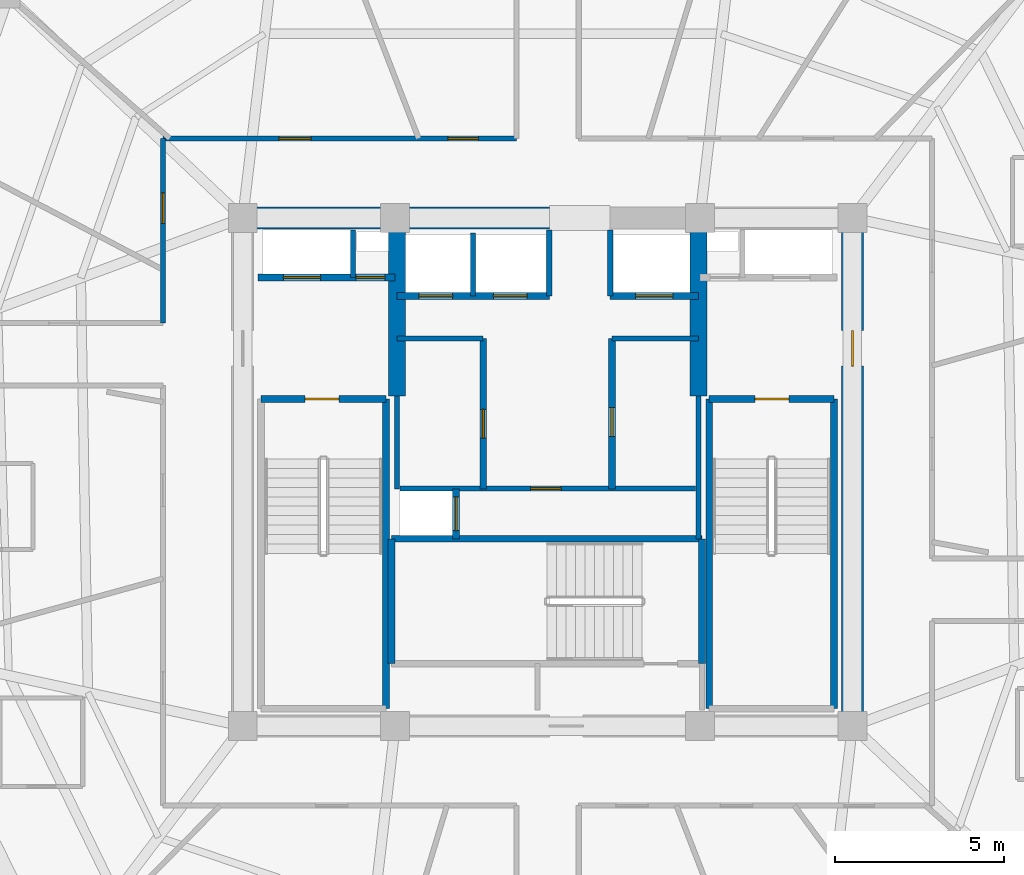
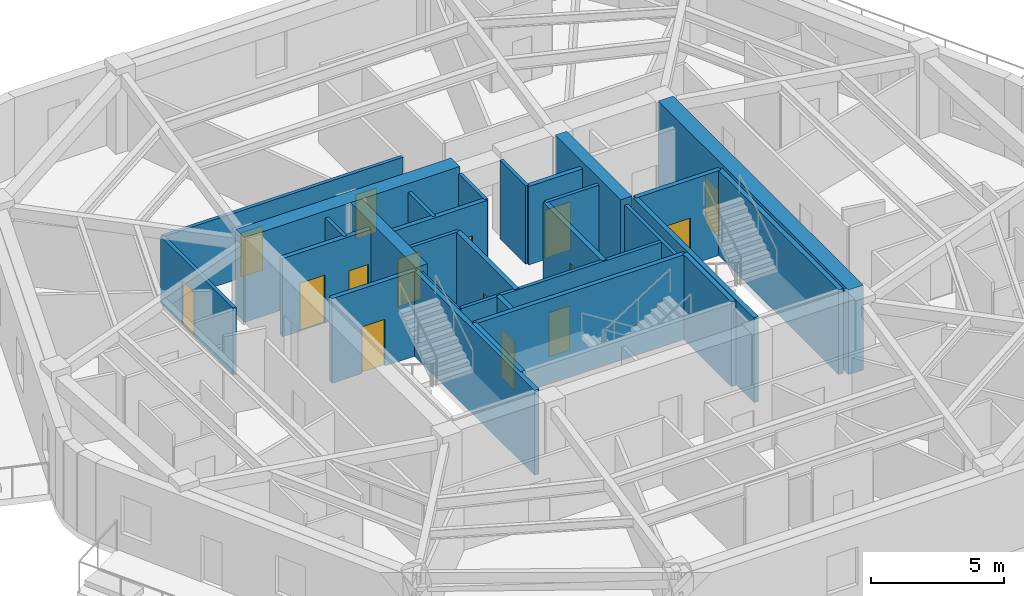
# One storey, part 4 of 9: 29 walls, 15 doors, 15 openings.
"""IFC4 building model written with IfcOpenShell, lengths in metres."""

from ifc_helpers import new_model, si_unit, direction, frame, frame_2d, origin, place, context, subcontext, project, spatial, rectangle, extrude, material, layer, layer_set, type_object, element, fill, save


model = new_model("IFC4")

# Units and contexts
model_context = context("Model", 3, precision=1e-05, world=origin(), true_north=direction((0.0, 1.0)))
body_context = subcontext(model_context, "Body", "Model", "MODEL_VIEW")
ifc_project = project(units=[si_unit("LENGTHUNIT", "METRE"), si_unit("AREAUNIT", "SQUARE_METRE"), si_unit("VOLUMEUNIT", "CUBIC_METRE"), si_unit("PLANEANGLEUNIT", "RADIAN"), si_unit("MASSUNIT", "GRAM", prefix="KILO")], contexts=[model_context])

# Site, building, storey
site_placement = place(None, origin())
site = spatial("IfcSite", under=ifc_project, at=site_placement, CompositionType="ELEMENT")
building_placement = place(site_placement, origin())
building = spatial("IfcBuilding", under=site, at=building_placement, Name="Kilnhurst Terrace Hotel", CompositionType="ELEMENT")
storey_placement = place(building_placement, frame((0.0, 0.0, 273.0)))
storey = spatial("IfcBuildingStorey", under=building, at=storey_placement, Name="L68", CompositionType="ELEMENT", Elevation=273.0)

# Wall, opening, door
ifc_material_1 = material(Name="Acoustic Double-Gypsum Corridor Partition Assembly")
ifc_layer_1 = layer(ifc_material_1, 0.14990234375, Name="Acoustic Double-Gypsum Corridor Partition Assembly")
ifc_layer_set_1 = layer_set([ifc_layer_1], Name="Acoustic Double-Gypsum Corridor Partition Assembly")
wall_type_1 = type_object("IfcWallType", Name="WL-COR-150", PredefinedType="PARTITIONING", material=ifc_layer_set_1)
wall_1_placement = place(storey_placement, frame((-11.35009765625, 4.39990234375, 0.0), z_axis=(0.0, 0.0, 1.0), x_axis=(0.0, 1.0, 0.0)))
wall_1 = element("IfcWall", 1, at=wall_1_placement, inside=storey, type_object=wall_type_1, Name="L68 Interior Wall WL-L68-COR-05", PredefinedType="PARTITIONING", context=body_context, shape_type="SweptSolid", body=[
    extrude(rectangle(XDim=5.4501953125, YDim=0.14990234375, at=frame_2d((2.72509765625, 0.0))), origin(), (0.0, 0.0, 1.0), 3.090087890625),
])
opening_1_placement = place(wall_1_placement, frame((2.93994140625, 0.0, 0.0)))
opening_1 = element("IfcOpeningElement", 2, at=opening_1_placement, cuts=wall_1, Name="Opening D-60C", PredefinedType="OPENING", context=body_context, shape_type="SweptSolid", body=[
    extrude(rectangle(XDim=0.89990234375, YDim=2.030029296875, at=frame_2d((0.449951171875, 1.01513671875))), frame((0.0, 0.0849609375, 0.0), z_axis=(0.0, -1.0, 0.0), x_axis=(1.0, 0.0, 0.0)), (0.0, 0.0, 1.0), 0.169921875),
])
ifc_material_2 = material(Name="Painted Solid-Core Service Fire Door")
door_type_1 = type_object("IfcDoorType", Name="DR-FD60-900", OperationType="NOTDEFINED", PredefinedType="DOOR", material=ifc_material_2)
door_1_placement = place(opening_1_placement, origin())
door_1 = element("IfcDoor", 3, at=door_1_placement, inside=storey, type_object=door_type_1, Name="L68 Botanical Reading Lounge Door 6", OperationType="SINGLE_SWING_RIGHT", OverallHeight=2.030029296875, OverallWidth=0.89990234375, PredefinedType="DOOR", context=body_context, shape_type="SweptSolid", body=[
    extrude(rectangle(XDim=0.89990234375, YDim=2.030029296875, at=frame_2d((0.449951171875, 1.01513671875))), frame((0.0, 0.02490234375, 0.0), z_axis=(0.0, -1.0, 0.0), x_axis=(1.0, 0.0, 0.0)), (0.0, 0.0, 1.0), 0.050048828125),
])
fill(opening_1, door_1)

# Wall, openings, doors
wall_2_placement = place(storey_placement, frame((-11.35009765625, 9.85009765625, 0.0), z_axis=(0.0, 0.0, 1.0), x_axis=(1.0, 0.0, 0.0)))
wall_2 = element("IfcWall", 4, at=wall_2_placement, inside=storey, type_object=wall_type_1, Name="L68 Interior Wall WL-L68-COR-06", PredefinedType="PARTITIONING", context=body_context, shape_type="SweptSolid", body=[
    extrude(rectangle(XDim=10.43017578125, YDim=0.14990234375, at=frame_2d((5.215087890625, 0.0))), origin(), (0.0, 0.0, 1.0), 3.090087890625),
])
opening_2_placement = place(wall_2_placement, frame((8.406982421875, 0.0, 0.0)))
opening_2 = element("IfcOpeningElement", 5, at=opening_2_placement, cuts=wall_2, Name="Opening D-60C", PredefinedType="OPENING", context=body_context, shape_type="SweptSolid", body=[
    extrude(rectangle(XDim=0.89990234375, YDim=2.030029296875, at=frame_2d((0.449951171875, 1.01513671875))), frame((0.0, 0.0849609375, 0.0), z_axis=(0.0, -1.0, 0.0), x_axis=(1.0, 0.0, 0.0)), (0.0, 0.0, 1.0), 0.169921875),
])
opening_3_placement = place(wall_2_placement, frame((3.416015625, 0.0, 0.0)))
opening_3 = element("IfcOpeningElement", 6, at=opening_3_placement, cuts=wall_2, Name="Opening D-60B", PredefinedType="OPENING", context=body_context, shape_type="SweptSolid", body=[
    extrude(rectangle(XDim=0.949951171875, YDim=2.030029296875, at=frame_2d((0.47509765625, 1.01513671875))), frame((0.0, 0.0849609375, 0.0), z_axis=(0.0, -1.0, 0.0), x_axis=(1.0, 0.0, 0.0)), (0.0, 0.0, 1.0), 0.169921875),
])
door_2_placement = place(opening_2_placement, origin())
door_2 = element("IfcDoor", 7, at=door_2_placement, inside=storey, type_object=door_type_1, Name="L68 Executive Work Office Door 4", OperationType="SINGLE_SWING_RIGHT", OverallHeight=2.030029296875, OverallWidth=0.89990234375, PredefinedType="DOOR", context=body_context, shape_type="SweptSolid", body=[
    extrude(rectangle(XDim=0.89990234375, YDim=2.030029296875, at=frame_2d((0.449951171875, 1.01513671875))), frame((0.0, 0.02490234375, 0.0), z_axis=(0.0, -1.0, 0.0), x_axis=(1.0, 0.0, 0.0)), (0.0, 0.0, 1.0), 0.050048828125),
])
fill(opening_2, door_2)
ifc_material_3 = material(Name="Acoustic Walnut Veneer Solid-Core Fire Door")
door_type_2 = type_object("IfcDoorType", Name="DR-FD60-950", OperationType="NOTDEFINED", PredefinedType="DOOR", material=ifc_material_3)
door_3_placement = place(opening_3_placement, origin())
door_3 = element("IfcDoor", 8, at=door_3_placement, inside=storey, type_object=door_type_2, Name="L68 Fitness Studio Door", OperationType="SINGLE_SWING_LEFT", OverallHeight=2.030029296875, OverallWidth=0.949951171875, PredefinedType="DOOR", context=body_context, shape_type="SweptSolid", body=[
    extrude(rectangle(XDim=0.949951171875, YDim=2.030029296875, at=frame_2d((0.47509765625, 1.01513671875))), frame((0.0, 0.02490234375, 0.0), z_axis=(0.0, -1.0, 0.0), x_axis=(1.0, 0.0, 0.0)), (0.0, 0.0, 1.0), 0.050048828125),
])
fill(opening_3, door_3)

# Wall
ifc_material_4 = material(Name="Concrete C60/75", Category="concrete")
ifc_layer_2 = layer(ifc_material_4, 0.64990234375, Name="Concrete C60/75")
ifc_layer_set_2 = layer_set([ifc_layer_2], Name="Concrete C60/75")
wall_type_2 = type_object("IfcWallType", Name="WL-CORE-650", PredefinedType="SHEAR", material=ifc_layer_set_2)
wall_3_placement = place(storey_placement, frame((-9.324951171875, 7.5, 0.0), z_axis=(0.0, 0.0, 1.0), x_axis=(1.0, 0.0, 0.0)))
element("IfcWall", 9, at=wall_3_placement, inside=storey, type_object=wall_type_2, Name="L68 Core North West Shear Wall", PredefinedType="SHEAR", context=body_context, shape_type="SweptSolid", body=[
    extrude(rectangle(XDim=9.375, YDim=0.64990234375, at=frame_2d((4.6875, 0.0))), origin(), (0.0, 0.0, 1.0), 3.89990234375),
])

# Wall, opening, door
wall_4_placement = place(storey_placement, frame((9.0, -7.175048828125, 0.0), z_axis=(0.0, 0.0, 1.0), x_axis=(0.0, 1.0, 0.0)))
wall_4 = element("IfcWall", 10, at=wall_4_placement, inside=storey, type_object=wall_type_2, Name="L68 Core East Shear Wall", PredefinedType="SHEAR", context=body_context, shape_type="SweptSolid", body=[
    extrude(rectangle(XDim=14.35009765625, YDim=0.64990234375, at=frame_2d((7.175048828125, 0.0))), origin(), (0.0, 0.0, 1.0), 3.89990234375),
])
opening_4_placement = place(wall_4_placement, frame((10.300048828125, 0.0, 0.0)))
opening_4 = element("IfcOpeningElement", 11, at=opening_4_placement, cuts=wall_4, Name="Opening D-90A", PredefinedType="OPENING", context=body_context, shape_type="SweptSolid", body=[
    extrude(rectangle(XDim=1.050048828125, YDim=2.14990234375, at=frame_2d((0.52490234375, 1.074951171875))), frame((0.0, 0.3349609375, 0.0), z_axis=(0.0, -1.0, 0.0), x_axis=(1.0, 0.0, 0.0)), (0.0, 0.0, 1.0), 0.669921875),
])
ifc_material_5 = material(Name="Painted Hollow Metal Steel ASTM A36 Fire Door", Category="steel")
door_type_3 = type_object("IfcDoorType", Name="DR-FD90-1050", OperationType="NOTDEFINED", PredefinedType="DOOR", material=ifc_material_5)
door_4_placement = place(opening_4_placement, origin())
door_4 = element("IfcDoor", 12, at=door_4_placement, inside=storey, type_object=door_type_3, Name="L68 East Firefighting Lobby Door", OperationType="SINGLE_SWING_LEFT", OverallHeight=2.14990234375, OverallWidth=1.050048828125, PredefinedType="DOOR", context=body_context, shape_type="SweptSolid", body=[
    extrude(rectangle(XDim=1.050048828125, YDim=2.14990234375, at=frame_2d((0.52490234375, 1.074951171875))), frame((0.0, 0.02490234375, 0.0), z_axis=(0.0, -1.0, 0.0), x_axis=(1.0, 0.0, 0.0)), (0.0, 0.0, 1.0), 0.050048828125),
])
fill(opening_4, door_4)

# Walls
ifc_layer_3 = layer(ifc_material_4, 0.5, Name="Concrete C60/75")
ifc_layer_set_3 = layer_set([ifc_layer_3], Name="Concrete C60/75")
wall_type_3 = type_object("IfcWallType", Name="WL-CORE-WEB-500", PredefinedType="SHEAR", material=ifc_layer_set_3)
for number, where, z_axis, x_axis, name in (
    (13, (-4.449951171875, 2.25, 0.0), (0.0, 0.0, 1.0), (0.0, 1.0, 0.0), "L68 Core Internal West Shear Web"),
    (14, (4.449951171875, 2.25, 0.0), (0.0, 0.0, 1.0), (0.0, 1.0, 0.0), "L68 Core Internal East Shear Web"),
):
    element("IfcWall", number, at=place(storey_placement, frame(where, z_axis=z_axis, x_axis=x_axis)), inside=storey, type_object=wall_type_3, Name=name, PredefinedType="SHEAR", context=body_context, shape_type="SweptSolid", body=[
        extrude(rectangle(XDim=4.925048828125, YDim=0.5, at=frame_2d((2.46240234375, 0.0))), origin(), (0.0, 0.0, 1.0), 3.89990234375),
    ])
ifc_material_6 = material(Name="Fire-Rated Gypsum Shaftliner Assembly")
ifc_layer_4 = layer(ifc_material_6, 0.14990234375, Name="Fire-Rated Gypsum Shaftliner Assembly")
ifc_layer_set_4 = layer_set([ifc_layer_4], Name="Fire-Rated Gypsum Shaftliner Assembly")
wall_type_4 = type_object("IfcWallType", Name="WL-SHAFT-150", PredefinedType="PARTITIONING", material=ifc_layer_set_4)
wall_5_placement = place(storey_placement, frame((-5.75, 5.739990234375, 0.0), z_axis=(0.0, 0.0, 1.0), x_axis=(0.0, 1.0, 0.0)))
element("IfcWall", 15, at=wall_5_placement, inside=storey, type_object=wall_type_4, Name="L68 Interior Wall WL-L68-RIS1-DIV", PredefinedType="PARTITIONING", context=body_context, shape_type="SweptSolid", body=[
    extrude(rectangle(XDim=1.409912109375, YDim=0.14990234375, at=frame_2d((0.705078125, 0.0))), origin(), (0.0, 0.0, 1.0), 3.60009765625),
])
wall_6_placement = place(storey_placement, frame((-2.199951171875, 5.199951171875, 0.0), z_axis=(0.0, 0.0, 1.0), x_axis=(0.0, 1.0, 0.0)))
element("IfcWall", 16, at=wall_6_placement, inside=storey, type_object=wall_type_4, Name="L68 Interior Wall WL-L68-HR-DIV1", PredefinedType="PARTITIONING", context=body_context, shape_type="SweptSolid", body=[
    extrude(rectangle(XDim=1.85009765625, YDim=0.14990234375, at=frame_2d((0.925048828125, 0.0))), origin(), (0.0, 0.0, 1.0), 3.60009765625),
])
for number, where, z_axis, x_axis, name in (
    (17, (0.050048828125, 5.199951171875, 0.0), (0.0, 0.0, 1.0), (0.0, 1.0, 0.0), "L68 Interior Wall WL-L68-HR-PORTAL-W"),
    (18, (1.85009765625, 5.199951171875, 0.0), (0.0, 0.0, 1.0), (0.0, 1.0, 0.0), "L68 Interior Wall WL-L68-HR-PORTAL-E"),
):
    element("IfcWall", number, at=place(storey_placement, frame(where, z_axis=z_axis, x_axis=x_axis)), inside=storey, type_object=wall_type_4, Name=name, PredefinedType="PARTITIONING", context=body_context, shape_type="SweptSolid", body=[
        extrude(rectangle(XDim=1.949951171875, YDim=0.14990234375, at=frame_2d((0.97509765625, 0.0))), origin(), (0.0, 0.0, 1.0), 3.60009765625),
    ])
wall_7_placement = place(storey_placement, frame((-4.449951171875, -0.5, 0.0), z_axis=(0.0, 0.0, 1.0), x_axis=(0.0, 1.0, 0.0)))
element("IfcWall", 19, at=wall_7_placement, inside=storey, type_object=wall_type_4, Name="L68 Interior Wall WL-L68-XLOB-W", PredefinedType="PARTITIONING", context=body_context, shape_type="SweptSolid", body=[
    extrude(rectangle(XDim=2.75, YDim=0.14990234375, at=frame_2d((1.375, 0.0))), origin(), (0.0, 0.0, 1.0), 3.60009765625),
])
wall_8_placement = place(storey_placement, frame((4.449951171875, -1.971923828125, 0.0), z_axis=(0.0, 0.0, 1.0), x_axis=(0.0, 1.0, 0.0)))
element("IfcWall", 20, at=wall_8_placement, inside=storey, type_object=wall_type_4, Name="L68 Interior Wall WL-L68-XLOB-E", PredefinedType="PARTITIONING", context=body_context, shape_type="SweptSolid", body=[
    extrude(rectangle(XDim=4.221923828125, YDim=0.14990234375, at=frame_2d((2.11083984375, 0.0))), origin(), (0.0, 0.0, 1.0), 3.60009765625),
])
for number, where, z_axis, x_axis, name in (
    (21, (-4.449951171875, 3.93994140625, 0.0), (0.0, 0.0, 1.0), (1.0, 0.0, 0.0), "L68 Interior Wall WL-L68-LR-NORTH"),
    (22, (1.89990234375, 3.93994140625, 0.0), (0.0, 0.0, 1.0), (1.0, 0.0, 0.0), "L68 Interior Wall WL-L68-MR-NORTH"),
):
    element("IfcWall", number, at=place(storey_placement, frame(where, z_axis=z_axis, x_axis=x_axis)), inside=storey, type_object=wall_type_4, Name=name, PredefinedType="PARTITIONING", context=body_context, shape_type="SweptSolid", body=[
        extrude(rectangle(XDim=2.550048828125, YDim=0.14990234375, at=frame_2d((1.27490234375, 0.0))), origin(), (0.0, 0.0, 1.0), 3.60009765625),
    ])

# Wall, opening, door
wall_9_placement = place(storey_placement, frame((-4.360107421875, -0.489990234375, 0.0), z_axis=(0.0, 0.0, 1.0), x_axis=(1.0, 0.0, 0.0)))
wall_9 = element("IfcWall", 23, at=wall_9_placement, inside=storey, type_object=wall_type_4, Name="L68 Interior Wall WL-L68-BOH-N", PredefinedType="PARTITIONING", context=body_context, shape_type="SweptSolid", body=[
    extrude(rectangle(XDim=8.72021484375, YDim=0.14990234375, at=frame_2d((4.360107421875, 0.0))), origin(), (0.0, 0.0, 1.0), 3.60009765625),
])
opening_5_placement = place(wall_9_placement, frame((3.860107421875, 0.0, 0.0)))
opening_5 = element("IfcOpeningElement", 24, at=opening_5_placement, cuts=wall_9, Name="Opening D-60C", PredefinedType="OPENING", context=body_context, shape_type="SweptSolid", body=[
    extrude(rectangle(XDim=0.89990234375, YDim=2.030029296875, at=frame_2d((0.449951171875, 1.01513671875))), frame((0.0, 0.0849609375, 0.0), z_axis=(0.0, -1.0, 0.0), x_axis=(1.0, 0.0, 0.0)), (0.0, 0.0, 1.0), 0.169921875),
])
door_5_placement = place(opening_5_placement, origin())
door_5 = element("IfcDoor", 25, at=door_5_placement, inside=storey, type_object=door_type_1, Name="L68 Housekeeping Laundry Door", OperationType="SINGLE_SWING_LEFT", OverallHeight=2.030029296875, OverallWidth=0.89990234375, PredefinedType="DOOR", context=body_context, shape_type="SweptSolid", body=[
    extrude(rectangle(XDim=0.89990234375, YDim=2.030029296875, at=frame_2d((0.449951171875, 1.01513671875))), frame((0.0, 0.02490234375, 0.0), z_axis=(0.0, -1.0, 0.0), x_axis=(1.0, 0.0, 0.0)), (0.0, 0.0, 1.0), 0.050048828125),
])
fill(opening_5, door_5)

# Wall, openings, doors
ifc_material_7 = material(Name="Autoclaved Aerated Concrete C30/37 and Gypsum Shaft Assembly", Category="concrete")
ifc_layer_5 = layer(ifc_material_7, 0.199951171875, Name="Autoclaved Aerated Concrete C30/37 and Gypsum Shaft Assembly")
ifc_layer_set_5 = layer_set([ifc_layer_5], Name="Autoclaved Aerated Concrete C30/37 and Gypsum Shaft Assembly")
wall_type_5 = type_object("IfcWallType", Name="WL-SHAFT-200", PredefinedType="PARTITIONING", material=ifc_layer_set_5)
wall_10_placement = place(storey_placement, frame((-8.550048828125, 5.739990234375, 0.0), z_axis=(0.0, 0.0, 1.0), x_axis=(1.0, 0.0, 0.0)))
wall_10 = element("IfcWall", 26, at=wall_10_placement, inside=storey, type_object=wall_type_5, Name="L68 Interior Wall WL-L68-FSAE1-S", PredefinedType="PARTITIONING", context=body_context, shape_type="SweptSolid", body=[
    extrude(rectangle(XDim=4.050048828125, YDim=0.199951171875, at=frame_2d((2.02490234375, 0.0))), origin(), (0.0, 0.0, 1.0), 3.60009765625),
])
opening_6_placement = place(wall_10_placement, frame((0.75, 0.0, 0.0)))
opening_6 = element("IfcOpeningElement", 27, at=opening_6_placement, cuts=wall_10, Name="Opening LD-F1", PredefinedType="OPENING", context=body_context, shape_type="SweptSolid", body=[
    extrude(rectangle(XDim=1.10009765625, YDim=2.199951171875, at=frame_2d((0.550048828125, 1.10009765625))), frame((0.0, 0.10986328125, 0.0), z_axis=(0.0, -1.0, 0.0), x_axis=(1.0, 0.0, 0.0)), (0.0, 0.0, 1.0), 0.219970703125),
])
opening_7_placement = place(wall_10_placement, frame((2.89990234375, 0.0, 0.0)))
opening_7 = element("IfcOpeningElement", 28, at=opening_7_placement, cuts=wall_10, Name="Opening D-60D", PredefinedType="OPENING", context=body_context, shape_type="SweptSolid", body=[
    extrude(rectangle(XDim=0.85009765625, YDim=2.030029296875, at=frame_2d((0.425048828125, 1.01513671875))), frame((0.0, 0.10986328125, 0.0), z_axis=(0.0, -1.0, 0.0), x_axis=(1.0, 0.0, 0.0)), (0.0, 0.0, 1.0), 0.219970703125),
])
ifc_material_8 = material(Name="Painted Hollow Metal Steel ASTM A36 Riser Door", Category="steel")
door_type_4 = type_object("IfcDoorType", Name="DR-FD60-850", OperationType="NOTDEFINED", PredefinedType="DOOR", material=ifc_material_8)
door_6_placement = place(opening_7_placement, origin())
door_6 = element("IfcDoor", 29, at=door_6_placement, inside=storey, type_object=door_type_4, Name="L68 Electrical Riser Door", OperationType="SINGLE_SWING_LEFT", OverallHeight=2.030029296875, OverallWidth=0.85009765625, PredefinedType="DOOR", context=body_context, shape_type="SweptSolid", body=[
    extrude(rectangle(XDim=0.85009765625, YDim=2.030029296875, at=frame_2d((0.425048828125, 1.01513671875))), frame((0.0, 0.02490234375, 0.0), z_axis=(0.0, -1.0, 0.0), x_axis=(1.0, 0.0, 0.0)), (0.0, 0.0, 1.0), 0.050048828125),
])
fill(opening_7, door_6)
ifc_material_9 = material(Name="Bronze-Anodized Stainless Steel AISI 316L Sliding Door", Category="steel")
door_type_5 = type_object("IfcDoorType", Name="DR-LIFT-1100", OperationType="NOTDEFINED", PredefinedType="DOOR", material=ifc_material_9)
door_7_placement = place(opening_6_placement, origin())
door_7 = element("IfcDoor", 30, at=door_7_placement, inside=storey, type_object=door_type_5, Name="L68 FSAE-1 Landing Door", OperationType="SLIDING_TO_LEFT", OverallHeight=2.199951171875, OverallWidth=1.10009765625, PredefinedType="DOOR", context=body_context, shape_type="SweptSolid", body=[
    extrude(rectangle(XDim=1.10009765625, YDim=2.199951171875, at=frame_2d((0.550048828125, 1.10009765625))), frame((0.0, 0.02490234375, 0.0), z_axis=(0.0, -1.0, 0.0), x_axis=(1.0, 0.0, 0.0)), (0.0, 0.0, 1.0), 0.050048828125),
])
fill(opening_6, door_7)

# Wall, opening, door
wall_11_placement = place(storey_placement, frame((-2.699951171875, -1.971923828125, 0.0), z_axis=(0.0, 0.0, 1.0), x_axis=(0.0, 1.0, 0.0)))
wall_11 = element("IfcWall", 31, at=wall_11_placement, inside=storey, type_object=wall_type_5, Name="L68 Interior Wall WL-L68-SRV1-E", PredefinedType="PARTITIONING", context=body_context, shape_type="SweptSolid", body=[
    extrude(rectangle(XDim=1.471923828125, YDim=0.199951171875, at=frame_2d((0.73583984375, 0.0))), origin(), (0.0, 0.0, 1.0), 3.60009765625),
])
opening_8_placement = place(wall_11_placement, frame((0.239990234375, 0.0, 0.0)))
opening_8 = element("IfcOpeningElement", 32, at=opening_8_placement, cuts=wall_11, Name="Opening LD-SV", PredefinedType="OPENING", context=body_context, shape_type="SweptSolid", body=[
    extrude(rectangle(XDim=1.0, YDim=2.199951171875, at=frame_2d((0.5, 1.10009765625))), frame((0.0, 0.10986328125, 0.0), z_axis=(0.0, -1.0, 0.0), x_axis=(1.0, 0.0, 0.0)), (0.0, 0.0, 1.0), 0.219970703125),
])
door_type_6 = type_object("IfcDoorType", Name="DR-LIFT-1000", OperationType="NOTDEFINED", PredefinedType="DOOR", material=ifc_material_9)
door_8_placement = place(opening_8_placement, origin())
door_8 = element("IfcDoor", 33, at=door_8_placement, inside=storey, type_object=door_type_6, Name="L68 Service Lift SRV-1 Landing Door", OperationType="SLIDING_TO_LEFT", OverallHeight=2.199951171875, OverallWidth=1.0, PredefinedType="DOOR", context=body_context, shape_type="SweptSolid", body=[
    extrude(rectangle(XDim=1.0, YDim=2.199951171875, at=frame_2d((0.5, 1.10009765625))), frame((0.0, 0.02490234375, 0.0), z_axis=(0.0, -1.0, 0.0), x_axis=(1.0, 0.0, 0.0)), (0.0, 0.0, 1.0), 0.050048828125),
])
fill(opening_8, door_8)

# Wall, openings, doors
wall_12_placement = place(storey_placement, frame((-4.449951171875, 5.199951171875, 0.0), z_axis=(0.0, 0.0, 1.0), x_axis=(1.0, 0.0, 0.0)))
wall_12 = element("IfcWall", 34, at=wall_12_placement, inside=storey, type_object=wall_type_5, Name="L68 Interior Wall WL-L68-HR-SW", PredefinedType="PARTITIONING", context=body_context, shape_type="SweptSolid", body=[
    extrude(rectangle(XDim=4.5, YDim=0.199951171875, at=frame_2d((2.25, 0.0))), origin(), (0.0, 0.0, 1.0), 3.60009765625),
])
opening_9_placement = place(wall_12_placement, frame((0.64990234375, 0.0, 0.0)))
opening_9 = element("IfcOpeningElement", 35, at=opening_9_placement, cuts=wall_12, Name="Opening LD-HR", PredefinedType="OPENING", context=body_context, shape_type="SweptSolid", body=[
    extrude(rectangle(XDim=1.0, YDim=2.199951171875, at=frame_2d((0.5, 1.10009765625))), frame((0.0, 0.10986328125, 0.0), z_axis=(0.0, -1.0, 0.0), x_axis=(1.0, 0.0, 0.0)), (0.0, 0.0, 1.0), 0.219970703125),
])
opening_10_placement = place(wall_12_placement, frame((2.85009765625, 0.0, 0.0)))
opening_10 = element("IfcOpeningElement", 36, at=opening_10_placement, cuts=wall_12, Name="Opening LD-HS", PredefinedType="OPENING", context=body_context, shape_type="SweptSolid", body=[
    extrude(rectangle(XDim=1.0, YDim=2.199951171875, at=frame_2d((0.5, 1.10009765625))), frame((0.0, 0.10986328125, 0.0), z_axis=(0.0, -1.0, 0.0), x_axis=(1.0, 0.0, 0.0)), (0.0, 0.0, 1.0), 0.219970703125),
])
door_9_placement = place(opening_9_placement, origin())
door_9 = element("IfcDoor", 37, at=door_9_placement, inside=storey, type_object=door_type_6, Name="L68 High Rise Lift HR-1 Landing Door", OperationType="SLIDING_TO_LEFT", OverallHeight=2.199951171875, OverallWidth=1.0, PredefinedType="DOOR", context=body_context, shape_type="SweptSolid", body=[
    extrude(rectangle(XDim=1.0, YDim=2.199951171875, at=frame_2d((0.5, 1.10009765625))), frame((0.0, 0.02490234375, 0.0), z_axis=(0.0, -1.0, 0.0), x_axis=(1.0, 0.0, 0.0)), (0.0, 0.0, 1.0), 0.050048828125),
])
fill(opening_9, door_9)
door_10_placement = place(opening_10_placement, origin())
door_10 = element("IfcDoor", 38, at=door_10_placement, inside=storey, type_object=door_type_6, Name="L68 High Rise Lift HR-3 Landing Door", OperationType="SLIDING_TO_RIGHT", OverallHeight=2.199951171875, OverallWidth=1.0, PredefinedType="DOOR", context=body_context, shape_type="SweptSolid", body=[
    extrude(rectangle(XDim=1.0, YDim=2.199951171875, at=frame_2d((0.5, 1.10009765625))), frame((0.0, 0.02490234375, 0.0), z_axis=(0.0, -1.0, 0.0), x_axis=(1.0, 0.0, 0.0)), (0.0, 0.0, 1.0), 0.050048828125),
])
fill(opening_10, door_10)

# Wall, opening, door
wall_13_placement = place(storey_placement, frame((1.85009765625, 5.199951171875, 0.0), z_axis=(0.0, 0.0, 1.0), x_axis=(1.0, 0.0, 0.0)))
wall_13 = element("IfcWall", 39, at=wall_13_placement, inside=storey, type_object=wall_type_5, Name="L68 Interior Wall WL-L68-HR-SE", PredefinedType="PARTITIONING", context=body_context, shape_type="SweptSolid", body=[
    extrude(rectangle(XDim=2.599853515625, YDim=0.199951171875, at=frame_2d((1.2998046875, 0.0))), origin(), (0.0, 0.0, 1.0), 3.60009765625),
])
opening_11_placement = place(wall_13_placement, frame((0.75, 0.0, 0.0)))
opening_11 = element("IfcOpeningElement", 40, at=opening_11_placement, cuts=wall_13, Name="Opening LD-H2", PredefinedType="OPENING", context=body_context, shape_type="SweptSolid", body=[
    extrude(rectangle(XDim=1.10009765625, YDim=2.199951171875, at=frame_2d((0.550048828125, 1.10009765625))), frame((0.0, 0.10986328125, 0.0), z_axis=(0.0, -1.0, 0.0), x_axis=(1.0, 0.0, 0.0)), (0.0, 0.0, 1.0), 0.219970703125),
])
door_11_placement = place(opening_11_placement, origin())
door_11 = element("IfcDoor", 41, at=door_11_placement, inside=storey, type_object=door_type_5, Name="L68 High Rise Lift HR-2 Landing Door", OperationType="SLIDING_TO_RIGHT", OverallHeight=2.199951171875, OverallWidth=1.10009765625, PredefinedType="DOOR", context=body_context, shape_type="SweptSolid", body=[
    extrude(rectangle(XDim=1.10009765625, YDim=2.199951171875, at=frame_2d((0.550048828125, 1.10009765625))), frame((0.0, 0.02490234375, 0.0), z_axis=(0.0, -1.0, 0.0), x_axis=(1.0, 0.0, 0.0)), (0.0, 0.0, 1.0), 0.050048828125),
])
fill(opening_11, door_11)

wall_14_placement = place(storey_placement, frame((-1.89990234375, -0.5, 0.0), z_axis=(0.0, 0.0, 1.0), x_axis=(0.0, 1.0, 0.0)))
wall_14 = element("IfcWall", 42, at=wall_14_placement, inside=storey, type_object=wall_type_5, Name="L68 Interior Wall WL-L68-LR-FRONT", PredefinedType="PARTITIONING", context=body_context, shape_type="SweptSolid", body=[
    extrude(rectangle(XDim=4.43994140625, YDim=0.199951171875, at=frame_2d((2.219970703125, 0.0))), origin(), (0.0, 0.0, 1.0), 3.60009765625),
])
opening_12_placement = place(wall_14_placement, frame((1.5, 0.0, 0.0)))
opening_12 = element("IfcOpeningElement", 43, at=opening_12_placement, cuts=wall_14, Name="Opening D-60D", PredefinedType="OPENING", context=body_context, shape_type="SweptSolid", body=[
    extrude(rectangle(XDim=0.85009765625, YDim=2.030029296875, at=frame_2d((0.425048828125, 1.01513671875))), frame((0.0, 0.10986328125, 0.0), z_axis=(0.0, -1.0, 0.0), x_axis=(1.0, 0.0, 0.0)), (0.0, 0.0, 1.0), 0.219970703125),
])
door_12_placement = place(opening_12_placement, origin())
door_12 = element("IfcDoor", 44, at=door_12_placement, inside=storey, type_object=door_type_4, Name="L68 Reclaimed Linen Room Door", OperationType="SINGLE_SWING_LEFT", OverallHeight=2.030029296875, OverallWidth=0.85009765625, PredefinedType="DOOR", context=body_context, shape_type="SweptSolid", body=[
    extrude(rectangle(XDim=0.85009765625, YDim=2.030029296875, at=frame_2d((0.425048828125, 1.01513671875))), frame((0.0, 0.02490234375, 0.0), z_axis=(0.0, -1.0, 0.0), x_axis=(1.0, 0.0, 0.0)), (0.0, 0.0, 1.0), 0.050048828125),
])
fill(opening_12, door_12)

wall_15_placement = place(storey_placement, frame((1.89990234375, -0.5, 0.0), z_axis=(0.0, 0.0, 1.0), x_axis=(0.0, 1.0, 0.0)))
wall_15 = element("IfcWall", 45, at=wall_15_placement, inside=storey, type_object=wall_type_5, Name="L68 Interior Wall WL-L68-MR-FRONT", PredefinedType="PARTITIONING", context=body_context, shape_type="SweptSolid", body=[
    extrude(rectangle(XDim=4.43994140625, YDim=0.199951171875, at=frame_2d((2.219970703125, 0.0))), origin(), (0.0, 0.0, 1.0), 3.60009765625),
])
opening_13_placement = place(wall_15_placement, frame((1.550048828125, 0.0, 0.0)))
opening_13 = element("IfcOpeningElement", 46, at=opening_13_placement, cuts=wall_15, Name="Opening D-60D", PredefinedType="OPENING", context=body_context, shape_type="SweptSolid", body=[
    extrude(rectangle(XDim=0.85009765625, YDim=2.030029296875, at=frame_2d((0.425048828125, 1.01513671875))), frame((0.0, 0.10986328125, 0.0), z_axis=(0.0, -1.0, 0.0), x_axis=(1.0, 0.0, 0.0)), (0.0, 0.0, 1.0), 0.219970703125),
])
door_13_placement = place(opening_13_placement, origin())
door_13 = element("IfcDoor", 47, at=door_13_placement, inside=storey, type_object=door_type_4, Name="L68 Staff Accessible Restroom Door", OperationType="SINGLE_SWING_RIGHT", OverallHeight=2.030029296875, OverallWidth=0.85009765625, PredefinedType="DOOR", context=body_context, shape_type="SweptSolid", body=[
    extrude(rectangle(XDim=0.85009765625, YDim=2.030029296875, at=frame_2d((0.425048828125, 1.01513671875))), frame((0.0, 0.02490234375, 0.0), z_axis=(0.0, -1.0, 0.0), x_axis=(1.0, 0.0, 0.0)), (0.0, 0.0, 1.0), 0.050048828125),
])
fill(opening_13, door_13)

# Wall
ifc_material_10 = material(Name="Concrete C50/60", Category="concrete")
ifc_layer_6 = layer(ifc_material_10, 0.199951171875, Name="Concrete C50/60")
ifc_layer_set_6 = layer_set([ifc_layer_6], Name="Concrete C50/60")
wall_type_6 = type_object("IfcWallType", Name="WL-STAIR-RC-200", PredefinedType="SHEAR", material=ifc_layer_set_6)
wall_16_placement = place(storey_placement, frame((-4.77197265625, -6.985107421875, 0.0), z_axis=(0.0, 0.0, 1.0), x_axis=(0.0, 1.0, 0.0)))
element("IfcWall", 48, at=wall_16_placement, inside=storey, type_object=wall_type_6, Name="L68 Structural Stair Shaft Wall WL-L68-ST1-E", PredefinedType="SHEAR", context=body_context, shape_type="SweptSolid", body=[
    extrude(rectangle(XDim=9.14306640625, YDim=0.199951171875, at=frame_2d((4.571533203125, 0.0))), origin(), (0.0, 0.0, 1.0), 3.89990234375),
])

# Wall, opening, door
wall_17_placement = place(storey_placement, frame((-8.4580078125, 2.157958984375, 0.0), z_axis=(0.0, 0.0, 1.0), x_axis=(1.0, 0.0, 0.0)))
wall_17 = element("IfcWall", 49, at=wall_17_placement, inside=storey, type_object=wall_type_6, Name="L68 Structural Stair Shaft Wall WL-L68-ST1-N", PredefinedType="SHEAR", context=body_context, shape_type="SweptSolid", body=[
    extrude(rectangle(XDim=3.68603515625, YDim=0.199951171875, at=frame_2d((1.843017578125, 0.0))), origin(), (0.0, 0.0, 1.0), 3.89990234375),
])
opening_14_placement = place(wall_17_placement, frame((1.300048828125, 0.0, 0.0)))
opening_14 = element("IfcOpeningElement", 50, at=opening_14_placement, cuts=wall_17, Name="Opening D-90B", PredefinedType="OPENING", context=body_context, shape_type="SweptSolid", body=[
    extrude(rectangle(XDim=1.0, YDim=2.14990234375, at=frame_2d((0.5, 1.074951171875))), frame((0.0, 0.10986328125, 0.0), z_axis=(0.0, -1.0, 0.0), x_axis=(1.0, 0.0, 0.0)), (0.0, 0.0, 1.0), 0.219970703125),
])
door_type_7 = type_object("IfcDoorType", Name="DR-FD90-1000", OperationType="NOTDEFINED", PredefinedType="DOOR", material=ifc_material_5)
door_14_placement = place(opening_14_placement, origin())
door_14 = element("IfcDoor", 51, at=door_14_placement, inside=storey, type_object=door_type_7, Name="L68 Stair ST-1 Door", OperationType="SINGLE_SWING_LEFT", OverallHeight=2.14990234375, OverallWidth=1.0, PredefinedType="DOOR", context=body_context, shape_type="SweptSolid", body=[
    extrude(rectangle(XDim=1.0, YDim=2.14990234375, at=frame_2d((0.5, 1.074951171875))), frame((0.0, 0.02490234375, 0.0), z_axis=(0.0, -1.0, 0.0), x_axis=(1.0, 0.0, 0.0)), (0.0, 0.0, 1.0), 0.050048828125),
])
fill(opening_14, door_14)

# Walls
for number, where, z_axis, x_axis, name in (
    (52, (4.77197265625, -6.985107421875, 0.0), (0.0, 0.0, 1.0), (0.0, 1.0, 0.0), "L68 Structural Stair Shaft Wall WL-L68-ST2-W"),
    (53, (8.4580078125, -6.985107421875, 0.0), (0.0, 0.0, 1.0), (0.0, 1.0, 0.0), "L68 Structural Stair Shaft Wall WL-L68-ST2-E"),
):
    element("IfcWall", number, at=place(storey_placement, frame(where, z_axis=z_axis, x_axis=x_axis)), inside=storey, type_object=wall_type_6, Name=name, PredefinedType="SHEAR", context=body_context, shape_type="SweptSolid", body=[
        extrude(rectangle(XDim=9.14306640625, YDim=0.199951171875, at=frame_2d((4.571533203125, 0.0))), origin(), (0.0, 0.0, 1.0), 3.89990234375),
    ])

# Wall, opening, door
wall_18_placement = place(storey_placement, frame((4.77197265625, 2.157958984375, 0.0), z_axis=(0.0, 0.0, 1.0), x_axis=(1.0, 0.0, 0.0)))
wall_18 = element("IfcWall", 54, at=wall_18_placement, inside=storey, type_object=wall_type_6, Name="L68 Structural Stair Shaft Wall WL-L68-ST2-N", PredefinedType="SHEAR", context=body_context, shape_type="SweptSolid", body=[
    extrude(rectangle(XDim=3.68603515625, YDim=0.199951171875, at=frame_2d((1.843017578125, 0.0))), origin(), (0.0, 0.0, 1.0), 3.89990234375),
])
opening_15_placement = place(wall_18_placement, frame((1.35009765625, 0.0, 0.0)))
opening_15 = element("IfcOpeningElement", 55, at=opening_15_placement, cuts=wall_18, Name="Opening D-90B", PredefinedType="OPENING", context=body_context, shape_type="SweptSolid", body=[
    extrude(rectangle(XDim=1.0, YDim=2.14990234375, at=frame_2d((0.5, 1.074951171875))), frame((0.0, 0.10986328125, 0.0), z_axis=(0.0, -1.0, 0.0), x_axis=(1.0, 0.0, 0.0)), (0.0, 0.0, 1.0), 0.219970703125),
])
door_15_placement = place(opening_15_placement, origin())
door_15 = element("IfcDoor", 56, at=door_15_placement, inside=storey, type_object=door_type_7, Name="L68 Stair ST-2 Door", OperationType="SINGLE_SWING_RIGHT", OverallHeight=2.14990234375, OverallWidth=1.0, PredefinedType="DOOR", context=body_context, shape_type="SweptSolid", body=[
    extrude(rectangle(XDim=1.0, YDim=2.14990234375, at=frame_2d((0.5, 1.074951171875))), frame((0.0, 0.02490234375, 0.0), z_axis=(0.0, -1.0, 0.0), x_axis=(1.0, 0.0, 0.0)), (0.0, 0.0, 1.0), 0.050048828125),
])
fill(opening_15, door_15)

# Walls
wall_19_placement = place(storey_placement, frame((-4.60791015625, -5.657958984375, 0.0), z_axis=(0.0, 0.0, 1.0), x_axis=(0.0, 1.0, 0.0)))
element("IfcWall", 57, at=wall_19_placement, inside=storey, type_object=wall_type_6, Name="L68 Structural Stair Shaft Wall WL-L68-ST3-W", PredefinedType="SHEAR", context=body_context, shape_type="SweptSolid", body=[
    extrude(rectangle(XDim=3.68603515625, YDim=0.199951171875, at=frame_2d((1.843017578125, 0.0))), origin(), (0.0, 0.0, 1.0), 3.89990234375),
])
wall_20_placement = place(storey_placement, frame((-4.60791015625, -1.971923828125, 0.0), z_axis=(0.0, 0.0, 1.0), x_axis=(1.0, 0.0, 0.0)))
element("IfcWall", 58, at=wall_20_placement, inside=storey, type_object=wall_type_6, Name="L68 Structural Stair Shaft Wall WL-L68-ST3-N", PredefinedType="SHEAR", context=body_context, shape_type="SweptSolid", body=[
    extrude(rectangle(XDim=9.166015625, YDim=0.199951171875, at=frame_2d((4.5830078125, 0.0))), origin(), (0.0, 0.0, 1.0), 3.89990234375),
])
wall_21_placement = place(storey_placement, frame((4.55810546875, -5.657958984375, 0.0), z_axis=(0.0, 0.0, 1.0), x_axis=(0.0, 1.0, 0.0)))
element("IfcWall", 59, at=wall_21_placement, inside=storey, type_object=wall_type_6, Name="L68 Structural Stair Shaft Wall WL-L68-ST3-E", PredefinedType="SHEAR", context=body_context, shape_type="SweptSolid", body=[
    extrude(rectangle(XDim=3.68603515625, YDim=0.199951171875, at=frame_2d((1.843017578125, 0.0))), origin(), (0.0, 0.0, 1.0), 3.89990234375),
])

save(model, "model.ifc")
